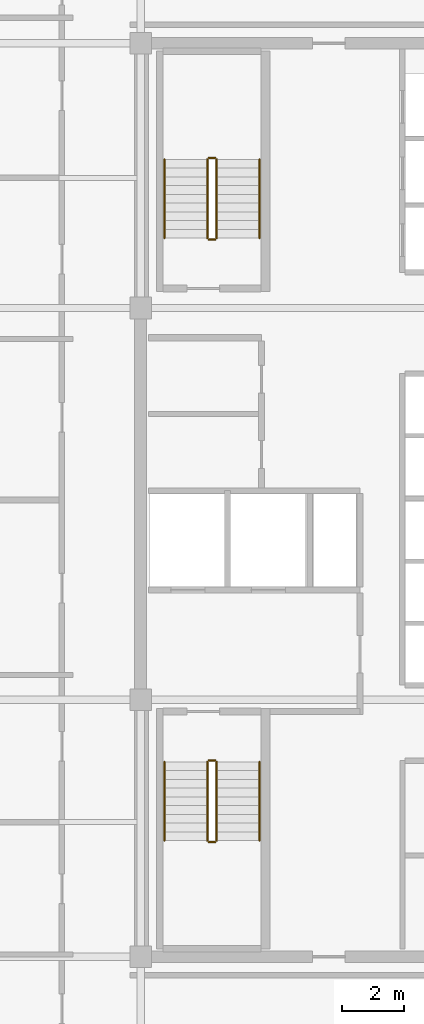
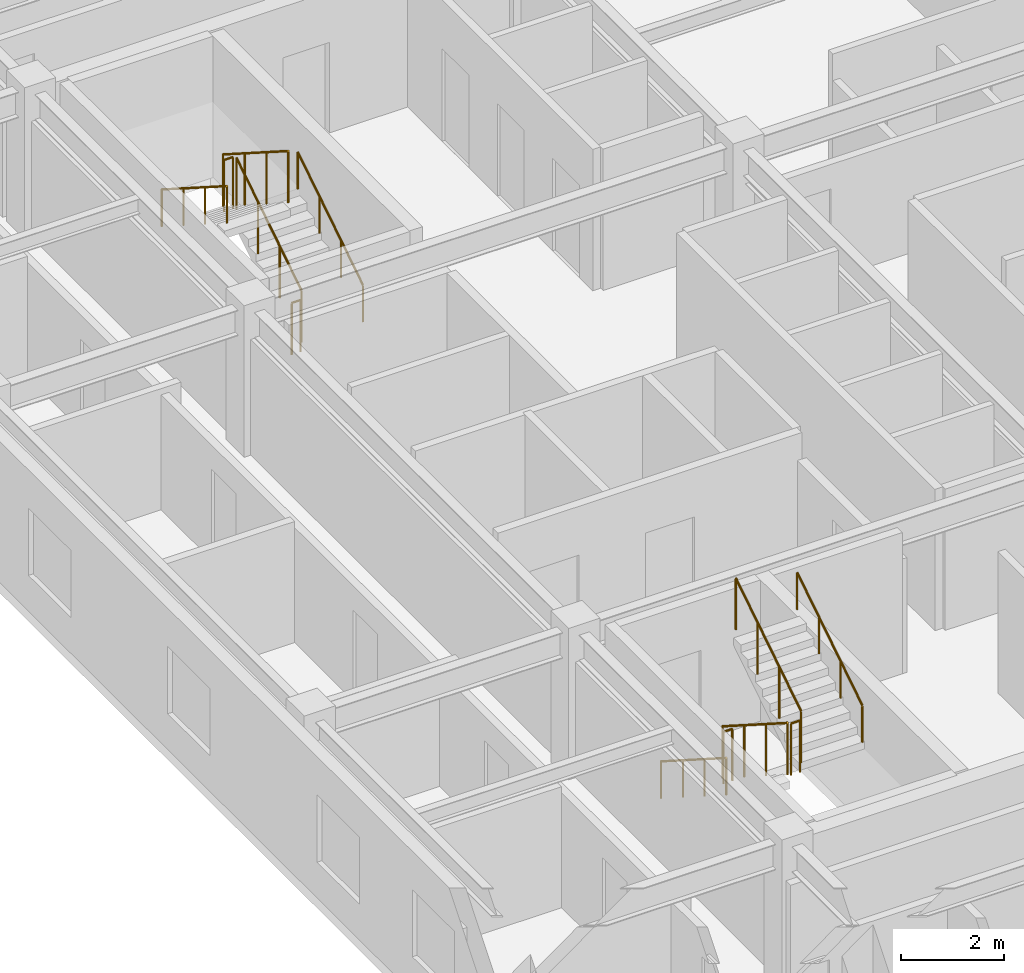
# One storey, part 8 of 8: 12 railings.
"""IFC4 building model written with IfcOpenShell, lengths in metres."""

import ifcopenshell
import ifcopenshell.guid

model = None  # the IFC model being written
_history = None  # IfcOwnerHistory: only IFC2X3 demands one
_inside = {}  # id of a spatial element -> (the spatial element, [elements in it])
_under = {}  # id of a project, library or spatial element -> (it, [spatial elements below it])
_declared = {}  # id of a project -> (the project, [libraries it declares])
_typed = {}  # id of a type object -> (the type object, [elements of that type])
_made_of = {}  # id of a material, layer set ... -> (it, [elements and type objects made of it])


def new_model(schema):
    """Start an empty IFC model of exactly this schema.

    Asked for "IFC4X3", IfcOpenShell would pick the latest addendum, in which some entities
    have other attributes; the version numbers below select the first issue.
    IFC2X3 requires an IfcOwnerHistory on every rooted entity: one is made here for all.
    """
    global model, _history
    if schema == "IFC4X3":
        model = ifcopenshell.file(schema_version=(4, 3, 0, 0))
    else:
        model = ifcopenshell.file(schema=schema)
    _inside.clear()
    _under.clear()
    _declared.clear()
    _typed.clear()
    _made_of.clear()
    _history = None
    if model.schema == "IFC2X3":
        org = make("IfcOrganization", Name="unknown")
        user = make(
            "IfcPersonAndOrganization",
            ThePerson=make("IfcPerson", FamilyName="unknown"),
            TheOrganization=org,
        )
        app = make(
            "IfcApplication",
            ApplicationDeveloper=org,
            Version="unknown",
            ApplicationFullName="unknown",
            ApplicationIdentifier="unknown",
        )
        _history = make(
            "IfcOwnerHistory",
            OwningUser=user,
            OwningApplication=app,
            ChangeAction="ADDED",
            CreationDate=0,
        )
    return model


def make(cls, **values):
    """One entity of the class cls with the attributes given. An attribute that is None is left unset."""
    return model.create_entity(
        cls, **{name: value for name, value in values.items() if value is not None}
    )


def rooted(cls, **values):
    """An entity with a GlobalId (a new one), such as an element, a storey or a relation."""
    return make(cls, GlobalId=ifcopenshell.guid.new(), OwnerHistory=_history, **values)


def si_unit(unit_type, name, prefix=None):
    """IfcSIUnit, for example si_unit("LENGTHUNIT", "METRE", prefix="MILLI")."""
    return make("IfcSIUnit", UnitType=unit_type, Prefix=prefix, Name=name)


def assignment(units):
    """IfcUnitAssignment: the units of a project."""
    return None if units is None else make("IfcUnitAssignment", Units=units)


def point(xyz):
    """IfcCartesianPoint."""
    return None if xyz is None else make("IfcCartesianPoint", Coordinates=xyz)


def direction(xyz):
    """IfcDirection."""
    return None if xyz is None else make("IfcDirection", DirectionRatios=xyz)


def frame(location, z_axis=None, x_axis=None):
    """IfcAxis2Placement3D, a coordinate frame: its origin and axes. An axis left out is left unset."""
    return make(
        "IfcAxis2Placement3D",
        Location=point(location),
        Axis=direction(z_axis),
        RefDirection=direction(x_axis),
    )


def frame_2d(location, x_axis=None):
    """IfcAxis2Placement2D, a coordinate frame in the plane: its origin and x axis."""
    return make(
        "IfcAxis2Placement2D", Location=point(location), RefDirection=direction(x_axis)
    )


def origin():
    """The frame at (0, 0, 0) with its axes left unset."""
    return frame((0.0, 0.0, 0.0))


def origin_2d():
    """The frame at (0, 0) in the plane with its x axis left unset."""
    return frame_2d((0.0, 0.0))


def place(relative_to, where):
    """IfcLocalPlacement: puts the frame where relative to a parent placement (None: the world)."""
    return make(
        "IfcLocalPlacement", PlacementRelTo=relative_to, RelativePlacement=where
    )


def context(
    kind, dimensions, precision=None, world=None, true_north=None, identifier=None
):
    """IfcGeometricRepresentationContext, for example the 3D "Model" context."""
    return make(
        "IfcGeometricRepresentationContext",
        ContextIdentifier=identifier,
        ContextType=kind,
        CoordinateSpaceDimension=dimensions,
        Precision=precision,
        WorldCoordinateSystem=world,
        TrueNorth=true_north,
    )


def subcontext(parent, identifier, kind, view, scale=None):
    """IfcGeometricRepresentationSubContext, for example "Body" below "Model"."""
    return make(
        "IfcGeometricRepresentationSubContext",
        ContextIdentifier=identifier,
        ContextType=kind,
        ParentContext=parent,
        TargetScale=scale,
        TargetView=view,
    )


def project(units=None, contexts=None):
    """IfcProject with its units and contexts."""
    return rooted(
        "IfcProject",
        Name="project",
        RepresentationContexts=contexts,
        UnitsInContext=assignment(units),
    )


def spatial(cls, under=None, at=None, **own):
    """A site, building, storey or space (cls), placed at a placement, below another one or the project."""
    s = rooted(cls, ObjectPlacement=at, **own)
    if under is not None:
        _under.setdefault(under.id(), (under, []))[1].append(s)
    return s


def profile(cls, at=None, kind="AREA", **sizes):
    """A parametric profile (cls). Its sizes go by their IFC names, for example OverallWidth=200.0."""
    return make(cls, ProfileType=kind, Position=at, **sizes)


def circle(**sizes):
    """IfcCircleProfileDef."""
    return profile("IfcCircleProfileDef", **sizes)


def extrude(swept, where, along, depth):
    """IfcExtrudedAreaSolid: the profile swept, set in the frame where, extruded along a direction by depth."""
    return make(
        "IfcExtrudedAreaSolid",
        SweptArea=swept,
        Position=where,
        ExtrudedDirection=direction(along),
        Depth=depth,
    )


def shape(context_of_items, identifier, shape_type, items):
    """IfcShapeRepresentation: the items that make up one representation, for example the "Body"."""
    return make(
        "IfcShapeRepresentation",
        ContextOfItems=context_of_items,
        RepresentationIdentifier=identifier,
        RepresentationType=shape_type,
        Items=items,
    )


def material(Name=None, Category=None):
    """IfcMaterial."""
    return make("IfcMaterial", Name=Name, Category=Category)


def made_of(thing, what):
    """Note that an element or type object is made of a material, layer set ...; save() writes the relation."""
    if what is not None:
        _made_of.setdefault(what.id(), (what, []))[1].append(thing)
    return thing


def type_object(cls, material=None, **own):
    """A type object (cls), such as IfcWallType, which elements share."""
    return made_of(rooted(cls, **own), material)


def element(
    cls,
    number,
    at=None,
    inside=None,
    cuts=None,
    type_object=None,
    material=None,
    context=None,
    identifier="Body",
    shape_type=None,
    held_by="IfcProductDefinitionShape",
    body=None,
    shapes=None,
    **own,
):
    """One element of the class cls, such as IfcWall. Its Tag is "e" and its number.

    at: its placement. inside: the storey or other place that contains it. cuts: it is an
    opening in that element (IfcRelVoidsElement). A single representation is given by context,
    identifier, shape_type and body (its items); several are given by shapes. held_by: the class
    of the entity that holds the representations. save() writes the other relations.
    """
    e = rooted(cls, Tag="e%d" % number, ObjectPlacement=at, **own)
    if body is not None:
        shapes = [shape(context, identifier, shape_type, body)]
    if shapes is not None:
        e.Representation = make(held_by, Representations=shapes)
    if inside is not None:
        _inside.setdefault(inside.id(), (inside, []))[1].append(e)
    if cuts is not None:
        rooted(
            "IfcRelVoidsElement", RelatingBuildingElement=cuts, RelatedOpeningElement=e
        )
    if type_object is not None:
        _typed.setdefault(type_object.id(), (type_object, []))[1].append(e)
    return made_of(e, material)


def aggregate(whole, parts):
    """IfcRelAggregates: a whole, such as a stair, and the parts it consists of."""
    return rooted("IfcRelAggregates", RelatingObject=whole, RelatedObjects=parts)


def save(model, path):
    """Write the relations noted so far, then the file.

    IfcRelAggregates (storeys below a building ...), IfcRelContainedInSpatialStructure (elements
    in a storey), IfcRelDefinesByType, IfcRelAssociatesMaterial and IfcRelDeclares: one each for
    every whole, place, type object, material and project.
    """
    for whole, parts in _under.values():
        aggregate(whole, parts)
    for where, things in _inside.values():
        rooted(
            "IfcRelContainedInSpatialStructure",
            RelatedElements=things,
            RelatingStructure=where,
        )
    for kind, things in _typed.values():
        rooted("IfcRelDefinesByType", RelatedObjects=things, RelatingType=kind)
    for what, things in _made_of.values():
        rooted("IfcRelAssociatesMaterial", RelatedObjects=things, RelatingMaterial=what)
    for by, libraries in _declared.values():
        rooted("IfcRelDeclares", RelatingContext=by, RelatedDefinitions=libraries)
    model.write(path)


model = new_model("IFC4")

# Units and contexts
model_context = context("Model", 3, precision=1e-05, world=origin(), true_north=direction((0.0, 1.0)))
body_context = subcontext(model_context, "Body", "Model", "MODEL_VIEW")
ifc_project = project(units=[si_unit("LENGTHUNIT", "METRE"), si_unit("AREAUNIT", "SQUARE_METRE"), si_unit("VOLUMEUNIT", "CUBIC_METRE"), si_unit("PLANEANGLEUNIT", "RADIAN"), si_unit("MASSUNIT", "GRAM", prefix="KILO")], contexts=[model_context])

# Site, building, storey
site_placement = place(None, origin())
site = spatial("IfcSite", under=ifc_project, at=site_placement, CompositionType="ELEMENT")
building_placement = place(site_placement, origin())
building = spatial("IfcBuilding", under=site, at=building_placement, Name="Ochreholt Gables", CompositionType="ELEMENT")
storey_placement = place(building_placement, frame((0.0, 0.0, 159.0)))
storey = spatial("IfcBuildingStorey", under=building, at=storey_placement, Name="L41", CompositionType="ELEMENT", Elevation=159.0)

# Railings
ifc_material_1 = material(Name="Painted Steel Stair Guardrail", Category="steel")
railing_type_1 = type_object("IfcRailingType", Name="RL-ST-GUARD", PredefinedType="GUARDRAIL", material=ifc_material_1)
railing_1_placement = place(storey_placement, frame((26.35009765625, 15.5400390625, 0.179931640625)))
element("IfcRailing", 1, at=railing_1_placement, inside=storey, type_object=railing_type_1, Name="L41 ST-1 stair guard 1", PredefinedType="GUARDRAIL", context=body_context, shape_type="SweptSolid", body=[
    extrude(circle(Radius=0.02392578125, at=origin_2d()), frame((0.0, 0.0, 1.22607421875), z_axis=(0.0, -0.842912820907, 0.538050161556), x_axis=(1.0, 0.0, 0.0)), (0.0, 0.0, 1.0), 3.010986328125),
    extrude(circle(Radius=0.02099609375, at=origin_2d()), origin(), (0.0, 0.0, 1.0), 1.201904296875),
    extrude(circle(Radius=0.02099609375, at=origin_2d()), frame((0.0, -0.845947265625, 0.5400390625)), (0.0, 0.0, 1.0), 1.201904296875),
    extrude(circle(Radius=0.02099609375, at=origin_2d()), frame((0.0, -1.692138671875, 1.080078125)), (0.0, 0.0, 1.0), 1.201904296875),
    extrude(circle(Radius=0.02099609375, at=origin_2d()), frame((0.0, -2.5380859375, 1.6201171875)), (0.0, 0.0, 1.0), 1.201904296875),
])
railing_2_placement = place(storey_placement, frame((26.39990234375, 12.951904296875, 1.800048828125)))
element("IfcRailing", 2, at=railing_2_placement, inside=storey, type_object=railing_type_1, Name="L41 ST-1 stair guard 2", PredefinedType="GUARDRAIL", context=body_context, shape_type="SweptSolid", body=[
    extrude(circle(Radius=0.02392578125, at=origin_2d()), frame((0.0, 0.0, 1.22607421875), z_axis=(1.0, 0.0, 0.0), x_axis=(0.0, 1.0, 0.0)), (0.0, 0.0, 1.0), 0.2001953125),
    extrude(circle(Radius=0.02099609375, at=origin_2d()), origin(), (0.0, 0.0, 1.0), 1.201904296875),
    extrude(circle(Radius=0.02099609375, at=origin_2d()), frame((0.2001953125, 0.0, 0.0)), (0.0, 0.0, 1.0), 1.201904296875),
])
railing_3_placement = place(storey_placement, frame((26.64990234375, 13.001953125, 1.97998046875)))
element("IfcRailing", 3, at=railing_3_placement, inside=storey, type_object=railing_type_1, Name="L41 ST-1 stair guard 3", PredefinedType="GUARDRAIL", context=body_context, shape_type="SweptSolid", body=[
    extrude(circle(Radius=0.02392578125, at=origin_2d()), frame((0.0, 0.0, 1.22607421875), z_axis=(0.0, 0.842912820907, 0.538050161556), x_axis=(-1.0, 0.0, 0.0)), (0.0, 0.0, 1.0), 3.010986328125),
    extrude(circle(Radius=0.02099609375, at=origin_2d()), origin(), (0.0, 0.0, 1.0), 1.201904296875),
    extrude(circle(Radius=0.02099609375, at=origin_2d()), frame((0.0, 0.845947265625, 0.5400390625)), (0.0, 0.0, 1.0), 1.201904296875),
    extrude(circle(Radius=0.02099609375, at=origin_2d()), frame((0.0, 1.692138671875, 1.080078125)), (0.0, 0.0, 1.0), 1.201904296875),
    extrude(circle(Radius=0.02099609375, at=origin_2d()), frame((0.0, 2.5380859375, 1.6201171875)), (0.0, 0.0, 1.0), 1.201904296875),
])
railing_4_placement = place(storey_placement, frame((26.39990234375, 15.590087890625, 0.0)))
element("IfcRailing", 4, at=railing_4_placement, inside=storey, type_object=railing_type_1, Name="L41 ST-1 stair guard 4", PredefinedType="GUARDRAIL", context=body_context, shape_type="SweptSolid", body=[
    extrude(circle(Radius=0.02392578125, at=origin_2d()), frame((0.0, 0.0, 1.22607421875), z_axis=(1.0, 0.0, 0.0), x_axis=(0.0, 1.0, 0.0)), (0.0, 0.0, 1.0), 0.2001953125),
    extrude(circle(Radius=0.02099609375, at=origin_2d()), origin(), (0.0, 0.0, 1.0), 1.201904296875),
    extrude(circle(Radius=0.02099609375, at=origin_2d()), frame((0.2001953125, 0.0, 0.0)), (0.0, 0.0, 1.0), 1.201904296875),
])
railing_5_placement = place(storey_placement, frame((26.64990234375, 32.4599609375, 0.179931640625)))
element("IfcRailing", 5, at=railing_5_placement, inside=storey, type_object=railing_type_1, Name="L41 ST-2 stair guard 1", PredefinedType="GUARDRAIL", context=body_context, shape_type="SweptSolid", body=[
    extrude(circle(Radius=0.02392578125, at=origin_2d()), frame((0.0, 0.0, 1.22607421875), z_axis=(0.0, 0.842912820907, 0.538050161556), x_axis=(-1.0, 0.0, 0.0)), (0.0, 0.0, 1.0), 3.010986328125),
    extrude(circle(Radius=0.02099609375, at=origin_2d()), origin(), (0.0, 0.0, 1.0), 1.201904296875),
    extrude(circle(Radius=0.02099609375, at=origin_2d()), frame((0.0, 0.845947265625, 0.5400390625)), (0.0, 0.0, 1.0), 1.201904296875),
    extrude(circle(Radius=0.02099609375, at=origin_2d()), frame((0.0, 1.692138671875, 1.080078125)), (0.0, 0.0, 1.0), 1.201904296875),
    extrude(circle(Radius=0.02099609375, at=origin_2d()), frame((0.0, 2.5380859375, 1.6201171875)), (0.0, 0.0, 1.0), 1.201904296875),
])
railing_6_placement = place(storey_placement, frame((26.60009765625, 35.048095703125, 1.800048828125)))
element("IfcRailing", 6, at=railing_6_placement, inside=storey, type_object=railing_type_1, Name="L41 ST-2 stair guard 2", PredefinedType="GUARDRAIL", context=body_context, shape_type="SweptSolid", body=[
    extrude(circle(Radius=0.02392578125, at=origin_2d()), frame((0.0, 0.0, 1.22607421875), z_axis=(-1.0, 0.0, 0.0), x_axis=(0.0, -1.0, 0.0)), (0.0, 0.0, 1.0), 0.2001953125),
    extrude(circle(Radius=0.02099609375, at=origin_2d()), origin(), (0.0, 0.0, 1.0), 1.201904296875),
    extrude(circle(Radius=0.02099609375, at=origin_2d()), frame((-0.2001953125, 0.0, 0.0)), (0.0, 0.0, 1.0), 1.201904296875),
])
railing_7_placement = place(storey_placement, frame((26.35009765625, 34.998046875, 1.97998046875)))
element("IfcRailing", 7, at=railing_7_placement, inside=storey, type_object=railing_type_1, Name="L41 ST-2 stair guard 3", PredefinedType="GUARDRAIL", context=body_context, shape_type="SweptSolid", body=[
    extrude(circle(Radius=0.02392578125, at=origin_2d()), frame((0.0, 0.0, 1.22607421875), z_axis=(0.0, -0.842912820907, 0.538050161556), x_axis=(1.0, 0.0, 0.0)), (0.0, 0.0, 1.0), 3.010986328125),
    extrude(circle(Radius=0.02099609375, at=origin_2d()), origin(), (0.0, 0.0, 1.0), 1.201904296875),
    extrude(circle(Radius=0.02099609375, at=origin_2d()), frame((0.0, -0.845947265625, 0.5400390625)), (0.0, 0.0, 1.0), 1.201904296875),
    extrude(circle(Radius=0.02099609375, at=origin_2d()), frame((0.0, -1.692138671875, 1.080078125)), (0.0, 0.0, 1.0), 1.201904296875),
    extrude(circle(Radius=0.02099609375, at=origin_2d()), frame((0.0, -2.5380859375, 1.6201171875)), (0.0, 0.0, 1.0), 1.201904296875),
])
railing_8_placement = place(storey_placement, frame((26.60009765625, 32.409912109375, 0.0)))
element("IfcRailing", 8, at=railing_8_placement, inside=storey, type_object=railing_type_1, Name="L41 ST-2 stair guard 4", PredefinedType="GUARDRAIL", context=body_context, shape_type="SweptSolid", body=[
    extrude(circle(Radius=0.02392578125, at=origin_2d()), frame((0.0, 0.0, 1.22607421875), z_axis=(-1.0, 0.0, 0.0), x_axis=(0.0, -1.0, 0.0)), (0.0, 0.0, 1.0), 0.2001953125),
    extrude(circle(Radius=0.02099609375, at=origin_2d()), origin(), (0.0, 0.0, 1.0), 1.201904296875),
    extrude(circle(Radius=0.02099609375, at=origin_2d()), frame((-0.2001953125, 0.0, 0.0)), (0.0, 0.0, 1.0), 1.201904296875),
])
ifc_material_2 = material(Name="Brushed Stainless Steel Wall Handrail", Category="steel")
railing_type_2 = type_object("IfcRailingType", Name="RL-ST-HAND", PredefinedType="HANDRAIL", material=ifc_material_2)
railing_9_placement = place(storey_placement, frame((24.969970703125, 15.5400390625, 0.179931640625)))
element("IfcRailing", 9, at=railing_9_placement, inside=storey, type_object=railing_type_2, Name="L41 ST-1 stair handrail 1", PredefinedType="HANDRAIL", context=body_context, shape_type="SweptSolid", body=[
    extrude(circle(Radius=0.02392578125, at=origin_2d()), frame((0.0, 0.0, 0.8759765625), z_axis=(0.0, -0.842912820907, 0.538050161556), x_axis=(1.0, 0.0, 0.0)), (0.0, 0.0, 1.0), 3.010986328125),
    extrude(circle(Radius=0.02099609375, at=origin_2d()), origin(), (0.0, 0.0, 1.0), 0.851806640625),
    extrude(circle(Radius=0.02099609375, at=origin_2d()), frame((0.0, -0.845947265625, 0.5400390625)), (0.0, 0.0, 1.0), 0.851806640625),
    extrude(circle(Radius=0.02099609375, at=origin_2d()), frame((0.0, -1.692138671875, 1.080078125)), (0.0, 0.0, 1.0), 0.851806640625),
    extrude(circle(Radius=0.02099609375, at=origin_2d()), frame((0.0, -2.5380859375, 1.6201171875)), (0.0, 0.0, 1.0), 0.851806640625),
])
for number, where, name in (
    (10, (28.030029296875, 13.001953125, 1.97998046875), "L41 ST-1 stair handrail 2"),
    (11, (28.030029296875, 32.4599609375, 0.179931640625), "L41 ST-2 stair handrail 1"),
):
    element("IfcRailing", number, at=place(storey_placement, frame(where)), inside=storey, type_object=railing_type_2, Name=name, PredefinedType="HANDRAIL", context=body_context, shape_type="SweptSolid", body=[
        extrude(circle(Radius=0.02392578125, at=origin_2d()), frame((0.0, 0.0, 0.8759765625), z_axis=(0.0, 0.842912820907, 0.538050161556), x_axis=(-1.0, 0.0, 0.0)), (0.0, 0.0, 1.0), 3.010986328125),
        extrude(circle(Radius=0.02099609375, at=origin_2d()), origin(), (0.0, 0.0, 1.0), 0.851806640625),
        extrude(circle(Radius=0.02099609375, at=origin_2d()), frame((0.0, 0.845947265625, 0.5400390625)), (0.0, 0.0, 1.0), 0.851806640625),
        extrude(circle(Radius=0.02099609375, at=origin_2d()), frame((0.0, 1.692138671875, 1.080078125)), (0.0, 0.0, 1.0), 0.851806640625),
        extrude(circle(Radius=0.02099609375, at=origin_2d()), frame((0.0, 2.5380859375, 1.6201171875)), (0.0, 0.0, 1.0), 0.851806640625),
    ])
railing_10_placement = place(storey_placement, frame((24.969970703125, 34.998046875, 1.97998046875)))
element("IfcRailing", 12, at=railing_10_placement, inside=storey, type_object=railing_type_2, Name="L41 ST-2 stair handrail 2", PredefinedType="HANDRAIL", context=body_context, shape_type="SweptSolid", body=[
    extrude(circle(Radius=0.02392578125, at=origin_2d()), frame((0.0, 0.0, 0.8759765625), z_axis=(0.0, -0.842912820907, 0.538050161556), x_axis=(1.0, 0.0, 0.0)), (0.0, 0.0, 1.0), 3.010986328125),
    extrude(circle(Radius=0.02099609375, at=origin_2d()), origin(), (0.0, 0.0, 1.0), 0.851806640625),
    extrude(circle(Radius=0.02099609375, at=origin_2d()), frame((0.0, -0.845947265625, 0.5400390625)), (0.0, 0.0, 1.0), 0.851806640625),
    extrude(circle(Radius=0.02099609375, at=origin_2d()), frame((0.0, -1.692138671875, 1.080078125)), (0.0, 0.0, 1.0), 0.851806640625),
    extrude(circle(Radius=0.02099609375, at=origin_2d()), frame((0.0, -2.5380859375, 1.6201171875)), (0.0, 0.0, 1.0), 0.851806640625),
])

save(model, "model.ifc")
